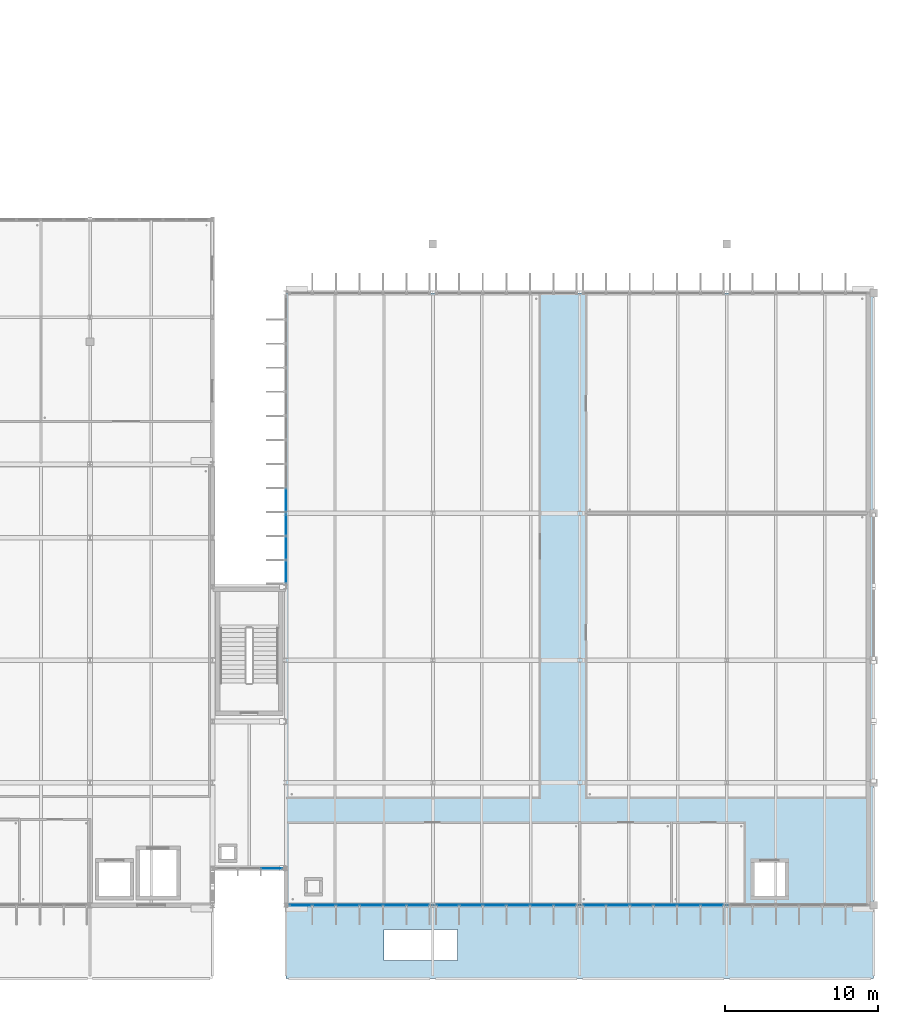
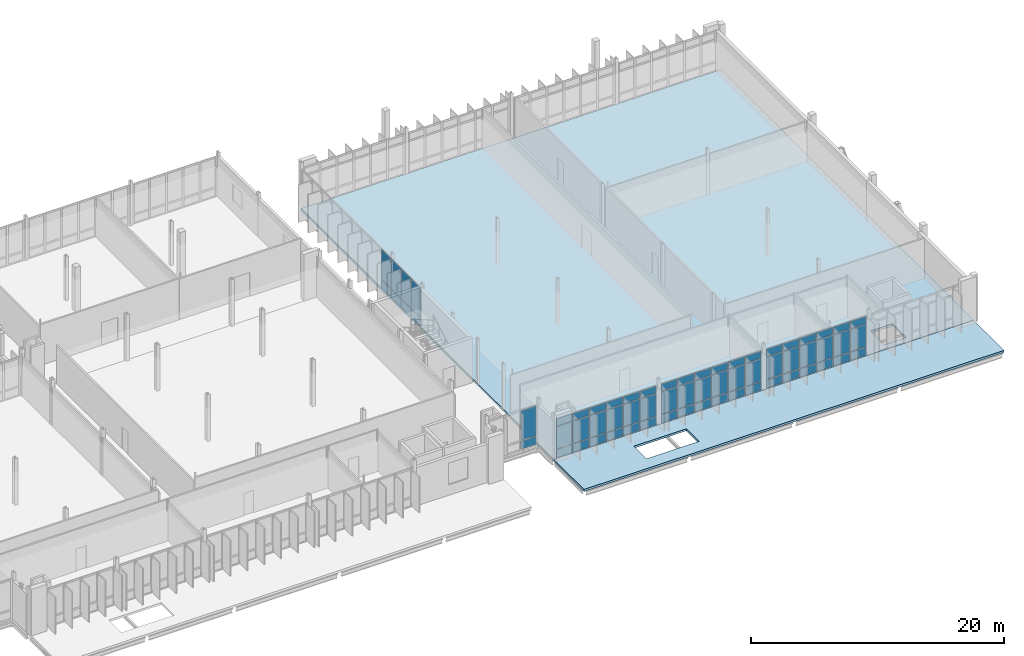
# One storey, part 53 of 107: 64 plates, 2 slabs, 5 elements without a shape of their own.
"""IFC4 building model written with IfcOpenShell, lengths in metres."""

from ifc_helpers import new_model, si_unit, direction, frame, origin, origin_2d, place, context, subcontext, project, spatial, polyline, rectangle, outline, extrude, material, layer, layer_set, type_object, element, aggregate, save


model = new_model("IFC4")

# Units and contexts
model_context = context("Model", 3, precision=1e-05, world=origin(), true_north=direction((0.0, 1.0)))
body_context = subcontext(model_context, "Body", "Model", "MODEL_VIEW")
ifc_project = project(units=[si_unit("LENGTHUNIT", "METRE"), si_unit("AREAUNIT", "SQUARE_METRE"), si_unit("VOLUMEUNIT", "CUBIC_METRE"), si_unit("PLANEANGLEUNIT", "RADIAN"), si_unit("MASSUNIT", "GRAM", prefix="KILO")], contexts=[model_context])

# Site, building, storey
site_placement = place(None, origin())
site = spatial("IfcSite", under=ifc_project, at=site_placement, CompositionType="ELEMENT")
building_placement = place(site_placement, origin())
building = spatial("IfcBuilding", under=site, at=building_placement, Name="Dunescarp Central Library", CompositionType="ELEMENT")
storey_placement = place(building_placement, frame((0.0, 0.0, 5.10009765625)))
storey = spatial("IfcBuildingStorey", under=building, at=storey_placement, Name="L01", CompositionType="ELEMENT", Elevation=5.10009765625)

# Curtain wall, plates
ifc_material_1 = material(Name="Marine-grade anodised aluminium 6063-T6", Category="aluminium")
curtain_wall_type_1 = type_object("IfcCurtainWallType", Name="ARC-CW-STICK", PredefinedType="NOTDEFINED", material=ifc_material_1)
curtain_wall_1_placement = place(storey_placement, origin())
curtain_wall_1 = element("IfcCurtainWall", 1, at=curtain_wall_1_placement, inside=storey, type_object=curtain_wall_type_1, Name="L01 curtain wall CW-V5-153", PredefinedType="NOTDEFINED")
ifc_material_2 = material(Name="Solar-control laminated double glazing", Category="glass")
ifc_layer_1 = layer(ifc_material_2, 0.028076171875)
ifc_layer_set_1 = layer_set([ifc_layer_1], Name="Solar-control laminated double glazing")
plate_type_1 = type_object("IfcPlateType", Name="ARC-PLT-GLZ28", PredefinedType="CURTAIN_PANEL", material=ifc_layer_set_1)
plate_1_placement = place(storey_placement, frame((138.234130859375, 4.800048828125, 0.93994140625), z_axis=(0.0, 0.0, 1.0), x_axis=(-1.0, 0.0, 0.0)))
plate_1 = element("IfcPlate", 2, at=plate_1_placement, type_object=plate_type_1, Name="CW-V5-153 panel 1.2", PredefinedType="CURTAIN_PANEL", context=body_context, shape_type="SweptSolid", body=[
    extrude(rectangle(XDim=1.421630859375, YDim=0.028076171875, at=origin_2d()), origin(), (0.0, 0.0, 1.0), 2.1201171875),
])
plate_2_placement = place(storey_placement, frame((138.234130859375, 4.800048828125, 3.139892578125), z_axis=(0.0, 0.0, 1.0), x_axis=(-1.0, 0.0, 0.0)))
plate_2 = element("IfcPlate", 3, at=plate_2_placement, type_object=plate_type_1, Name="CW-V5-153 panel 1.3", PredefinedType="CURTAIN_PANEL", context=body_context, shape_type="SweptSolid", body=[
    extrude(rectangle(XDim=1.421630859375, YDim=0.028076171875, at=origin_2d()), origin(), (0.0, 0.0, 1.0), 0.68994140625),
])
plate_3_placement = place(storey_placement, frame((136.71240234375, 4.800048828125, 0.93994140625), z_axis=(0.0, 0.0, 1.0), x_axis=(-1.0, 0.0, 0.0)))
plate_3 = element("IfcPlate", 4, at=plate_3_placement, type_object=plate_type_1, Name="CW-V5-153 panel 2.2", PredefinedType="CURTAIN_PANEL", context=body_context, shape_type="SweptSolid", body=[
    extrude(rectangle(XDim=1.461669921875, YDim=0.028076171875, at=origin_2d()), origin(), (0.0, 0.0, 1.0), 2.1201171875),
])
plate_4_placement = place(storey_placement, frame((136.71240234375, 4.800048828125, 3.139892578125), z_axis=(0.0, 0.0, 1.0), x_axis=(-1.0, 0.0, 0.0)))
plate_4 = element("IfcPlate", 5, at=plate_4_placement, type_object=plate_type_1, Name="CW-V5-153 panel 2.3", PredefinedType="CURTAIN_PANEL", context=body_context, shape_type="SweptSolid", body=[
    extrude(rectangle(XDim=1.461669921875, YDim=0.028076171875, at=origin_2d()), origin(), (0.0, 0.0, 1.0), 0.68994140625),
])
plate_5_placement = place(storey_placement, frame((135.1708984375, 4.800048828125, 0.93994140625), z_axis=(0.0, 0.0, 1.0), x_axis=(-1.0, 0.0, 0.0)))
plate_5 = element("IfcPlate", 6, at=plate_5_placement, type_object=plate_type_1, Name="CW-V5-153 panel 3.2", PredefinedType="CURTAIN_PANEL", context=body_context, shape_type="SweptSolid", body=[
    extrude(rectangle(XDim=1.461669921875, YDim=0.028076171875, at=origin_2d()), origin(), (0.0, 0.0, 1.0), 2.1201171875),
])
plate_6_placement = place(storey_placement, frame((135.1708984375, 4.800048828125, 3.139892578125), z_axis=(0.0, 0.0, 1.0), x_axis=(-1.0, 0.0, 0.0)))
plate_6 = element("IfcPlate", 7, at=plate_6_placement, type_object=plate_type_1, Name="CW-V5-153 panel 3.3", PredefinedType="CURTAIN_PANEL", context=body_context, shape_type="SweptSolid", body=[
    extrude(rectangle(XDim=1.461669921875, YDim=0.028076171875, at=origin_2d()), origin(), (0.0, 0.0, 1.0), 0.68994140625),
])
plate_7_placement = place(storey_placement, frame((133.629150390625, 4.800048828125, 0.93994140625), z_axis=(0.0, 0.0, 1.0), x_axis=(-1.0, 0.0, 0.0)))
plate_7 = element("IfcPlate", 8, at=plate_7_placement, type_object=plate_type_1, Name="CW-V5-153 panel 4.2", PredefinedType="CURTAIN_PANEL", context=body_context, shape_type="SweptSolid", body=[
    extrude(rectangle(XDim=1.461669921875, YDim=0.028076171875, at=origin_2d()), origin(), (0.0, 0.0, 1.0), 2.1201171875),
])
plate_8_placement = place(storey_placement, frame((133.629150390625, 4.800048828125, 3.139892578125), z_axis=(0.0, 0.0, 1.0), x_axis=(-1.0, 0.0, 0.0)))
plate_8 = element("IfcPlate", 9, at=plate_8_placement, type_object=plate_type_1, Name="CW-V5-153 panel 4.3", PredefinedType="CURTAIN_PANEL", context=body_context, shape_type="SweptSolid", body=[
    extrude(rectangle(XDim=1.461669921875, YDim=0.028076171875, at=origin_2d()), origin(), (0.0, 0.0, 1.0), 0.68994140625),
])
plate_9_placement = place(storey_placement, frame((132.08740234375, 4.800048828125, 0.93994140625), z_axis=(0.0, 0.0, 1.0), x_axis=(-1.0, 0.0, 0.0)))
plate_9 = element("IfcPlate", 10, at=plate_9_placement, type_object=plate_type_1, Name="CW-V5-153 panel 5.2", PredefinedType="CURTAIN_PANEL", context=body_context, shape_type="SweptSolid", body=[
    extrude(rectangle(XDim=1.461669921875, YDim=0.028076171875, at=origin_2d()), origin(), (0.0, 0.0, 1.0), 2.1201171875),
])
plate_10_placement = place(storey_placement, frame((132.08740234375, 4.800048828125, 3.139892578125), z_axis=(0.0, 0.0, 1.0), x_axis=(-1.0, 0.0, 0.0)))
plate_10 = element("IfcPlate", 11, at=plate_10_placement, type_object=plate_type_1, Name="CW-V5-153 panel 5.3", PredefinedType="CURTAIN_PANEL", context=body_context, shape_type="SweptSolid", body=[
    extrude(rectangle(XDim=1.461669921875, YDim=0.028076171875, at=origin_2d()), origin(), (0.0, 0.0, 1.0), 0.68994140625),
])
plate_11_placement = place(storey_placement, frame((130.56591796875, 4.800048828125, 0.93994140625), z_axis=(0.0, 0.0, 1.0), x_axis=(-1.0, 0.0, 0.0)))
plate_11 = element("IfcPlate", 12, at=plate_11_placement, type_object=plate_type_1, Name="CW-V5-153 panel 6.2", PredefinedType="CURTAIN_PANEL", context=body_context, shape_type="SweptSolid", body=[
    extrude(rectangle(XDim=1.421630859375, YDim=0.028076171875, at=origin_2d()), origin(), (0.0, 0.0, 1.0), 2.1201171875),
])
plate_12_placement = place(storey_placement, frame((130.56591796875, 4.800048828125, 3.139892578125), z_axis=(0.0, 0.0, 1.0), x_axis=(-1.0, 0.0, 0.0)))
plate_12 = element("IfcPlate", 13, at=plate_12_placement, type_object=plate_type_1, Name="CW-V5-153 panel 6.3", PredefinedType="CURTAIN_PANEL", context=body_context, shape_type="SweptSolid", body=[
    extrude(rectangle(XDim=1.421630859375, YDim=0.028076171875, at=origin_2d()), origin(), (0.0, 0.0, 1.0), 0.68994140625),
])

curtain_wall_2_placement = place(storey_placement, origin())
curtain_wall_2 = element("IfcCurtainWall", 14, at=curtain_wall_2_placement, inside=storey, type_object=curtain_wall_type_1, Name="L01 curtain wall CW-V5-154", PredefinedType="NOTDEFINED")
plate_13_placement = place(storey_placement, frame((147.834228515625, 4.800048828125, 0.93994140625), z_axis=(0.0, 0.0, 1.0), x_axis=(-1.0, 0.0, 0.0)))
plate_13 = element("IfcPlate", 15, at=plate_13_placement, type_object=plate_type_1, Name="CW-V5-154 panel 1.2", PredefinedType="CURTAIN_PANEL", context=body_context, shape_type="SweptSolid", body=[
    extrude(rectangle(XDim=1.421630859375, YDim=0.028076171875, at=origin_2d()), origin(), (0.0, 0.0, 1.0), 2.1201171875),
])
plate_14_placement = place(storey_placement, frame((147.834228515625, 4.800048828125, 3.139892578125), z_axis=(0.0, 0.0, 1.0), x_axis=(-1.0, 0.0, 0.0)))
plate_14 = element("IfcPlate", 16, at=plate_14_placement, type_object=plate_type_1, Name="CW-V5-154 panel 1.3", PredefinedType="CURTAIN_PANEL", context=body_context, shape_type="SweptSolid", body=[
    extrude(rectangle(XDim=1.421630859375, YDim=0.028076171875, at=origin_2d()), origin(), (0.0, 0.0, 1.0), 0.68994140625),
])
plate_15_placement = place(storey_placement, frame((146.3125, 4.800048828125, 0.93994140625), z_axis=(0.0, 0.0, 1.0), x_axis=(-1.0, 0.0, 0.0)))
plate_15 = element("IfcPlate", 17, at=plate_15_placement, type_object=plate_type_1, Name="CW-V5-154 panel 2.2", PredefinedType="CURTAIN_PANEL", context=body_context, shape_type="SweptSolid", body=[
    extrude(rectangle(XDim=1.461669921875, YDim=0.028076171875, at=origin_2d()), origin(), (0.0, 0.0, 1.0), 2.1201171875),
])
plate_16_placement = place(storey_placement, frame((146.3125, 4.800048828125, 3.139892578125), z_axis=(0.0, 0.0, 1.0), x_axis=(-1.0, 0.0, 0.0)))
plate_16 = element("IfcPlate", 18, at=plate_16_placement, type_object=plate_type_1, Name="CW-V5-154 panel 2.3", PredefinedType="CURTAIN_PANEL", context=body_context, shape_type="SweptSolid", body=[
    extrude(rectangle(XDim=1.461669921875, YDim=0.028076171875, at=origin_2d()), origin(), (0.0, 0.0, 1.0), 0.68994140625),
])
plate_17_placement = place(storey_placement, frame((144.770751953125, 4.800048828125, 0.93994140625), z_axis=(0.0, 0.0, 1.0), x_axis=(-1.0, 0.0, 0.0)))
plate_17 = element("IfcPlate", 19, at=plate_17_placement, type_object=plate_type_1, Name="CW-V5-154 panel 3.2", PredefinedType="CURTAIN_PANEL", context=body_context, shape_type="SweptSolid", body=[
    extrude(rectangle(XDim=1.461669921875, YDim=0.028076171875, at=origin_2d()), origin(), (0.0, 0.0, 1.0), 2.1201171875),
])
plate_18_placement = place(storey_placement, frame((144.770751953125, 4.800048828125, 3.139892578125), z_axis=(0.0, 0.0, 1.0), x_axis=(-1.0, 0.0, 0.0)))
plate_18 = element("IfcPlate", 20, at=plate_18_placement, type_object=plate_type_1, Name="CW-V5-154 panel 3.3", PredefinedType="CURTAIN_PANEL", context=body_context, shape_type="SweptSolid", body=[
    extrude(rectangle(XDim=1.461669921875, YDim=0.028076171875, at=origin_2d()), origin(), (0.0, 0.0, 1.0), 0.68994140625),
])
plate_19_placement = place(storey_placement, frame((143.229248046875, 4.800048828125, 0.93994140625), z_axis=(0.0, 0.0, 1.0), x_axis=(-1.0, 0.0, 0.0)))
plate_19 = element("IfcPlate", 21, at=plate_19_placement, type_object=plate_type_1, Name="CW-V5-154 panel 4.2", PredefinedType="CURTAIN_PANEL", context=body_context, shape_type="SweptSolid", body=[
    extrude(rectangle(XDim=1.461669921875, YDim=0.028076171875, at=origin_2d()), origin(), (0.0, 0.0, 1.0), 2.1201171875),
])
plate_20_placement = place(storey_placement, frame((143.229248046875, 4.800048828125, 3.139892578125), z_axis=(0.0, 0.0, 1.0), x_axis=(-1.0, 0.0, 0.0)))
plate_20 = element("IfcPlate", 22, at=plate_20_placement, type_object=plate_type_1, Name="CW-V5-154 panel 4.3", PredefinedType="CURTAIN_PANEL", context=body_context, shape_type="SweptSolid", body=[
    extrude(rectangle(XDim=1.461669921875, YDim=0.028076171875, at=origin_2d()), origin(), (0.0, 0.0, 1.0), 0.68994140625),
])
plate_21_placement = place(storey_placement, frame((141.6875, 4.800048828125, 0.93994140625), z_axis=(0.0, 0.0, 1.0), x_axis=(-1.0, 0.0, 0.0)))
plate_21 = element("IfcPlate", 23, at=plate_21_placement, type_object=plate_type_1, Name="CW-V5-154 panel 5.2", PredefinedType="CURTAIN_PANEL", context=body_context, shape_type="SweptSolid", body=[
    extrude(rectangle(XDim=1.461669921875, YDim=0.028076171875, at=origin_2d()), origin(), (0.0, 0.0, 1.0), 2.1201171875),
])
plate_22_placement = place(storey_placement, frame((141.6875, 4.800048828125, 3.139892578125), z_axis=(0.0, 0.0, 1.0), x_axis=(-1.0, 0.0, 0.0)))
plate_22 = element("IfcPlate", 24, at=plate_22_placement, type_object=plate_type_1, Name="CW-V5-154 panel 5.3", PredefinedType="CURTAIN_PANEL", context=body_context, shape_type="SweptSolid", body=[
    extrude(rectangle(XDim=1.461669921875, YDim=0.028076171875, at=origin_2d()), origin(), (0.0, 0.0, 1.0), 0.68994140625),
])
plate_23_placement = place(storey_placement, frame((140.165771484375, 4.800048828125, 0.93994140625), z_axis=(0.0, 0.0, 1.0), x_axis=(-1.0, 0.0, 0.0)))
plate_23 = element("IfcPlate", 25, at=plate_23_placement, type_object=plate_type_1, Name="CW-V5-154 panel 6.2", PredefinedType="CURTAIN_PANEL", context=body_context, shape_type="SweptSolid", body=[
    extrude(rectangle(XDim=1.421630859375, YDim=0.028076171875, at=origin_2d()), origin(), (0.0, 0.0, 1.0), 2.1201171875),
])
plate_24_placement = place(storey_placement, frame((140.165771484375, 4.800048828125, 3.139892578125), z_axis=(0.0, 0.0, 1.0), x_axis=(-1.0, 0.0, 0.0)))
plate_24 = element("IfcPlate", 26, at=plate_24_placement, type_object=plate_type_1, Name="CW-V5-154 panel 6.3", PredefinedType="CURTAIN_PANEL", context=body_context, shape_type="SweptSolid", body=[
    extrude(rectangle(XDim=1.421630859375, YDim=0.028076171875, at=origin_2d()), origin(), (0.0, 0.0, 1.0), 0.68994140625),
])

curtain_wall_3_placement = place(storey_placement, origin())
curtain_wall_3 = element("IfcCurtainWall", 27, at=curtain_wall_3_placement, inside=storey, type_object=curtain_wall_type_1, Name="L01 curtain wall CW-V5-155", PredefinedType="NOTDEFINED")
plate_25_placement = place(storey_placement, frame((157.43408203125, 4.800048828125, 0.93994140625), z_axis=(0.0, 0.0, 1.0), x_axis=(-1.0, 0.0, 0.0)))
plate_25 = element("IfcPlate", 28, at=plate_25_placement, type_object=plate_type_1, Name="CW-V5-155 panel 1.2", PredefinedType="CURTAIN_PANEL", context=body_context, shape_type="SweptSolid", body=[
    extrude(rectangle(XDim=1.421630859375, YDim=0.028076171875, at=origin_2d()), origin(), (0.0, 0.0, 1.0), 2.1201171875),
])
plate_26_placement = place(storey_placement, frame((157.43408203125, 4.800048828125, 3.139892578125), z_axis=(0.0, 0.0, 1.0), x_axis=(-1.0, 0.0, 0.0)))
plate_26 = element("IfcPlate", 29, at=plate_26_placement, type_object=plate_type_1, Name="CW-V5-155 panel 1.3", PredefinedType="CURTAIN_PANEL", context=body_context, shape_type="SweptSolid", body=[
    extrude(rectangle(XDim=1.421630859375, YDim=0.028076171875, at=origin_2d()), origin(), (0.0, 0.0, 1.0), 0.68994140625),
])
plate_27_placement = place(storey_placement, frame((155.91259765625, 4.800048828125, 0.93994140625), z_axis=(0.0, 0.0, 1.0), x_axis=(-1.0, 0.0, 0.0)))
plate_27 = element("IfcPlate", 30, at=plate_27_placement, type_object=plate_type_1, Name="CW-V5-155 panel 2.2", PredefinedType="CURTAIN_PANEL", context=body_context, shape_type="SweptSolid", body=[
    extrude(rectangle(XDim=1.461669921875, YDim=0.028076171875, at=origin_2d()), origin(), (0.0, 0.0, 1.0), 2.1201171875),
])
plate_28_placement = place(storey_placement, frame((155.91259765625, 4.800048828125, 3.139892578125), z_axis=(0.0, 0.0, 1.0), x_axis=(-1.0, 0.0, 0.0)))
plate_28 = element("IfcPlate", 31, at=plate_28_placement, type_object=plate_type_1, Name="CW-V5-155 panel 2.3", PredefinedType="CURTAIN_PANEL", context=body_context, shape_type="SweptSolid", body=[
    extrude(rectangle(XDim=1.461669921875, YDim=0.028076171875, at=origin_2d()), origin(), (0.0, 0.0, 1.0), 0.68994140625),
])
plate_29_placement = place(storey_placement, frame((154.370849609375, 4.800048828125, 0.93994140625), z_axis=(0.0, 0.0, 1.0), x_axis=(-1.0, 0.0, 0.0)))
plate_29 = element("IfcPlate", 32, at=plate_29_placement, type_object=plate_type_1, Name="CW-V5-155 panel 3.2", PredefinedType="CURTAIN_PANEL", context=body_context, shape_type="SweptSolid", body=[
    extrude(rectangle(XDim=1.461669921875, YDim=0.028076171875, at=origin_2d()), origin(), (0.0, 0.0, 1.0), 2.1201171875),
])
plate_30_placement = place(storey_placement, frame((154.370849609375, 4.800048828125, 3.139892578125), z_axis=(0.0, 0.0, 1.0), x_axis=(-1.0, 0.0, 0.0)))
plate_30 = element("IfcPlate", 33, at=plate_30_placement, type_object=plate_type_1, Name="CW-V5-155 panel 3.3", PredefinedType="CURTAIN_PANEL", context=body_context, shape_type="SweptSolid", body=[
    extrude(rectangle(XDim=1.461669921875, YDim=0.028076171875, at=origin_2d()), origin(), (0.0, 0.0, 1.0), 0.68994140625),
])
plate_31_placement = place(storey_placement, frame((152.8291015625, 4.800048828125, 0.93994140625), z_axis=(0.0, 0.0, 1.0), x_axis=(-1.0, 0.0, 0.0)))
plate_31 = element("IfcPlate", 34, at=plate_31_placement, type_object=plate_type_1, Name="CW-V5-155 panel 4.2", PredefinedType="CURTAIN_PANEL", context=body_context, shape_type="SweptSolid", body=[
    extrude(rectangle(XDim=1.461669921875, YDim=0.028076171875, at=origin_2d()), origin(), (0.0, 0.0, 1.0), 2.1201171875),
])
plate_32_placement = place(storey_placement, frame((152.8291015625, 4.800048828125, 3.139892578125), z_axis=(0.0, 0.0, 1.0), x_axis=(-1.0, 0.0, 0.0)))
plate_32 = element("IfcPlate", 35, at=plate_32_placement, type_object=plate_type_1, Name="CW-V5-155 panel 4.3", PredefinedType="CURTAIN_PANEL", context=body_context, shape_type="SweptSolid", body=[
    extrude(rectangle(XDim=1.461669921875, YDim=0.028076171875, at=origin_2d()), origin(), (0.0, 0.0, 1.0), 0.68994140625),
])
plate_33_placement = place(storey_placement, frame((151.28759765625, 4.800048828125, 0.93994140625), z_axis=(0.0, 0.0, 1.0), x_axis=(-1.0, 0.0, 0.0)))
plate_33 = element("IfcPlate", 36, at=plate_33_placement, type_object=plate_type_1, Name="CW-V5-155 panel 5.2", PredefinedType="CURTAIN_PANEL", context=body_context, shape_type="SweptSolid", body=[
    extrude(rectangle(XDim=1.461669921875, YDim=0.028076171875, at=origin_2d()), origin(), (0.0, 0.0, 1.0), 2.1201171875),
])
plate_34_placement = place(storey_placement, frame((151.28759765625, 4.800048828125, 3.139892578125), z_axis=(0.0, 0.0, 1.0), x_axis=(-1.0, 0.0, 0.0)))
plate_34 = element("IfcPlate", 37, at=plate_34_placement, type_object=plate_type_1, Name="CW-V5-155 panel 5.3", PredefinedType="CURTAIN_PANEL", context=body_context, shape_type="SweptSolid", body=[
    extrude(rectangle(XDim=1.461669921875, YDim=0.028076171875, at=origin_2d()), origin(), (0.0, 0.0, 1.0), 0.68994140625),
])
plate_35_placement = place(storey_placement, frame((149.765869140625, 4.800048828125, 0.93994140625), z_axis=(0.0, 0.0, 1.0), x_axis=(-1.0, 0.0, 0.0)))
plate_35 = element("IfcPlate", 38, at=plate_35_placement, type_object=plate_type_1, Name="CW-V5-155 panel 6.2", PredefinedType="CURTAIN_PANEL", context=body_context, shape_type="SweptSolid", body=[
    extrude(rectangle(XDim=1.421630859375, YDim=0.028076171875, at=origin_2d()), origin(), (0.0, 0.0, 1.0), 2.1201171875),
])
plate_36_placement = place(storey_placement, frame((149.765869140625, 4.800048828125, 3.139892578125), z_axis=(0.0, 0.0, 1.0), x_axis=(-1.0, 0.0, 0.0)))
plate_36 = element("IfcPlate", 39, at=plate_36_placement, type_object=plate_type_1, Name="CW-V5-155 panel 6.3", PredefinedType="CURTAIN_PANEL", context=body_context, shape_type="SweptSolid", body=[
    extrude(rectangle(XDim=1.421630859375, YDim=0.028076171875, at=origin_2d()), origin(), (0.0, 0.0, 1.0), 0.68994140625),
])

curtain_wall_4_placement = place(storey_placement, origin())
curtain_wall_4 = element("IfcCurtainWall", 40, at=curtain_wall_4_placement, inside=storey, type_object=curtain_wall_type_1, Name="L01 curtain wall CW-V5-161", PredefinedType="NOTDEFINED")
plate_37_placement = place(storey_placement, frame((129.60009765625, 26.580322265625, 0.93994140625), z_axis=(0.0, 0.0, 1.0), x_axis=(0.0, 1.0, 0.0)))
plate_37 = element("IfcPlate", 41, at=plate_37_placement, type_object=plate_type_1, Name="CW-V5-161 panel 1.2", PredefinedType="CURTAIN_PANEL", context=body_context, shape_type="SweptSolid", body=[
    extrude(rectangle(XDim=1.450927734375, YDim=0.028076171875, at=origin_2d()), origin(), (0.0, 0.0, 1.0), 2.85498046875),
])
plate_38_placement = place(storey_placement, frame((129.60009765625, 28.13134765625, 0.93994140625), z_axis=(0.0, 0.0, 1.0), x_axis=(0.0, 1.0, 0.0)))
plate_38 = element("IfcPlate", 42, at=plate_38_placement, type_object=plate_type_1, Name="CW-V5-161 panel 2.2", PredefinedType="CURTAIN_PANEL", context=body_context, shape_type="SweptSolid", body=[
    extrude(rectangle(XDim=1.49072265625, YDim=0.028076171875, at=origin_2d()), origin(), (0.0, 0.0, 1.0), 2.85498046875),
])
plate_39_placement = place(storey_placement, frame((129.60009765625, 29.7021484375, 0.93994140625), z_axis=(0.0, 0.0, 1.0), x_axis=(0.0, 1.0, 0.0)))
plate_39 = element("IfcPlate", 43, at=plate_39_placement, type_object=plate_type_1, Name="CW-V5-161 panel 3.2", PredefinedType="CURTAIN_PANEL", context=body_context, shape_type="SweptSolid", body=[
    extrude(rectangle(XDim=1.49072265625, YDim=0.028076171875, at=origin_2d()), origin(), (0.0, 0.0, 1.0), 2.85498046875),
])
plate_40_placement = place(storey_placement, frame((129.60009765625, 31.27294921875, 0.93994140625), z_axis=(0.0, 0.0, 1.0), x_axis=(0.0, 1.0, 0.0)))
plate_40 = element("IfcPlate", 44, at=plate_40_placement, type_object=plate_type_1, Name="CW-V5-161 panel 4.2", PredefinedType="CURTAIN_PANEL", context=body_context, shape_type="SweptSolid", body=[
    extrude(rectangle(XDim=1.49072265625, YDim=0.028076171875, at=origin_2d()), origin(), (0.0, 0.0, 1.0), 2.85498046875),
])

# Curtain wall, plate
curtain_wall_type_2 = type_object("IfcCurtainWallType", Name="ARC-CW-LINK", PredefinedType="USERDEFINED", material=ifc_material_1)
curtain_wall_5_placement = place(storey_placement, origin())
curtain_wall_5 = element("IfcCurtainWall", 45, at=curtain_wall_5_placement, inside=storey, type_object=curtain_wall_type_2, Name="L01 curtain wall CW-GL3-S-L01", ObjectType="GLAZED_LINK_WALL", PredefinedType="USERDEFINED")
plate_41_placement = place(storey_placement, frame((128.663330078125, 7.199951171875, 0.93994140625), z_axis=(0.0, 0.0, 1.0), x_axis=(-1.0, 0.0, 0.0)))
plate_41 = element("IfcPlate", 46, at=plate_41_placement, type_object=plate_type_1, Name="CW-GL3-S-L01 panel 1.2", PredefinedType="CURTAIN_PANEL", context=body_context, shape_type="SweptSolid", body=[
    extrude(rectangle(XDim=1.36328125, YDim=0.028076171875, at=origin_2d()), origin(), (0.0, 0.0, 1.0), 2.85498046875),
])

# Plate
ifc_layer_2 = layer(ifc_material_1, 0.050048828125)
ifc_layer_set_2 = layer_set([ifc_layer_2], Name="Marine-grade anodised aluminium 6063-T6")
plate_type_2 = type_object("IfcPlateType", Name="ARC-PLT-SPN50", PredefinedType="SHEET", material=ifc_layer_set_2)
plate_42_placement = place(storey_placement, frame((138.234130859375, 4.800048828125, 0.080078125), z_axis=(0.0, 0.0, 1.0), x_axis=(-1.0, 0.0, 0.0)))
plate_42 = element("IfcPlate", 47, at=plate_42_placement, type_object=plate_type_2, Name="CW-V5-153 panel 1.1", PredefinedType="SHEET", context=body_context, shape_type="SweptSolid", body=[
    extrude(rectangle(XDim=1.421630859375, YDim=0.050048828125, at=origin_2d()), origin(), (0.0, 0.0, 1.0), 0.780029296875),
])

plate_43_placement = place(storey_placement, frame((136.71240234375, 4.800048828125, 0.080078125), z_axis=(0.0, 0.0, 1.0), x_axis=(-1.0, 0.0, 0.0)))
plate_43 = element("IfcPlate", 48, at=plate_43_placement, type_object=plate_type_2, Name="CW-V5-153 panel 2.1", PredefinedType="SHEET", context=body_context, shape_type="SweptSolid", body=[
    extrude(rectangle(XDim=1.461669921875, YDim=0.050048828125, at=origin_2d()), origin(), (0.0, 0.0, 1.0), 0.780029296875),
])

plate_44_placement = place(storey_placement, frame((135.1708984375, 4.800048828125, 0.080078125), z_axis=(0.0, 0.0, 1.0), x_axis=(-1.0, 0.0, 0.0)))
plate_44 = element("IfcPlate", 49, at=plate_44_placement, type_object=plate_type_2, Name="CW-V5-153 panel 3.1", PredefinedType="SHEET", context=body_context, shape_type="SweptSolid", body=[
    extrude(rectangle(XDim=1.461669921875, YDim=0.050048828125, at=origin_2d()), origin(), (0.0, 0.0, 1.0), 0.780029296875),
])

plate_45_placement = place(storey_placement, frame((133.629150390625, 4.800048828125, 0.080078125), z_axis=(0.0, 0.0, 1.0), x_axis=(-1.0, 0.0, 0.0)))
plate_45 = element("IfcPlate", 50, at=plate_45_placement, type_object=plate_type_2, Name="CW-V5-153 panel 4.1", PredefinedType="SHEET", context=body_context, shape_type="SweptSolid", body=[
    extrude(rectangle(XDim=1.461669921875, YDim=0.050048828125, at=origin_2d()), origin(), (0.0, 0.0, 1.0), 0.780029296875),
])

plate_46_placement = place(storey_placement, frame((132.08740234375, 4.800048828125, 0.080078125), z_axis=(0.0, 0.0, 1.0), x_axis=(-1.0, 0.0, 0.0)))
plate_46 = element("IfcPlate", 51, at=plate_46_placement, type_object=plate_type_2, Name="CW-V5-153 panel 5.1", PredefinedType="SHEET", context=body_context, shape_type="SweptSolid", body=[
    extrude(rectangle(XDim=1.461669921875, YDim=0.050048828125, at=origin_2d()), origin(), (0.0, 0.0, 1.0), 0.780029296875),
])

plate_47_placement = place(storey_placement, frame((130.56591796875, 4.800048828125, 0.080078125), z_axis=(0.0, 0.0, 1.0), x_axis=(-1.0, 0.0, 0.0)))
plate_47 = element("IfcPlate", 52, at=plate_47_placement, type_object=plate_type_2, Name="CW-V5-153 panel 6.1", PredefinedType="SHEET", context=body_context, shape_type="SweptSolid", body=[
    extrude(rectangle(XDim=1.421630859375, YDim=0.050048828125, at=origin_2d()), origin(), (0.0, 0.0, 1.0), 0.780029296875),
])

aggregate(curtain_wall_1, [plate_42, plate_1, plate_2, plate_43, plate_3, plate_4, plate_44, plate_5, plate_6, plate_45, plate_7, plate_8, plate_46, plate_9, plate_10, plate_47, plate_11, plate_12])

plate_48_placement = place(storey_placement, frame((147.834228515625, 4.800048828125, 0.080078125), z_axis=(0.0, 0.0, 1.0), x_axis=(-1.0, 0.0, 0.0)))
plate_48 = element("IfcPlate", 53, at=plate_48_placement, type_object=plate_type_2, Name="CW-V5-154 panel 1.1", PredefinedType="SHEET", context=body_context, shape_type="SweptSolid", body=[
    extrude(rectangle(XDim=1.421630859375, YDim=0.050048828125, at=origin_2d()), origin(), (0.0, 0.0, 1.0), 0.780029296875),
])

plate_49_placement = place(storey_placement, frame((146.3125, 4.800048828125, 0.080078125), z_axis=(0.0, 0.0, 1.0), x_axis=(-1.0, 0.0, 0.0)))
plate_49 = element("IfcPlate", 54, at=plate_49_placement, type_object=plate_type_2, Name="CW-V5-154 panel 2.1", PredefinedType="SHEET", context=body_context, shape_type="SweptSolid", body=[
    extrude(rectangle(XDim=1.461669921875, YDim=0.050048828125, at=origin_2d()), origin(), (0.0, 0.0, 1.0), 0.780029296875),
])

plate_50_placement = place(storey_placement, frame((144.770751953125, 4.800048828125, 0.080078125), z_axis=(0.0, 0.0, 1.0), x_axis=(-1.0, 0.0, 0.0)))
plate_50 = element("IfcPlate", 55, at=plate_50_placement, type_object=plate_type_2, Name="CW-V5-154 panel 3.1", PredefinedType="SHEET", context=body_context, shape_type="SweptSolid", body=[
    extrude(rectangle(XDim=1.461669921875, YDim=0.050048828125, at=origin_2d()), origin(), (0.0, 0.0, 1.0), 0.780029296875),
])

plate_51_placement = place(storey_placement, frame((143.229248046875, 4.800048828125, 0.080078125), z_axis=(0.0, 0.0, 1.0), x_axis=(-1.0, 0.0, 0.0)))
plate_51 = element("IfcPlate", 56, at=plate_51_placement, type_object=plate_type_2, Name="CW-V5-154 panel 4.1", PredefinedType="SHEET", context=body_context, shape_type="SweptSolid", body=[
    extrude(rectangle(XDim=1.461669921875, YDim=0.050048828125, at=origin_2d()), origin(), (0.0, 0.0, 1.0), 0.780029296875),
])

plate_52_placement = place(storey_placement, frame((141.6875, 4.800048828125, 0.080078125), z_axis=(0.0, 0.0, 1.0), x_axis=(-1.0, 0.0, 0.0)))
plate_52 = element("IfcPlate", 57, at=plate_52_placement, type_object=plate_type_2, Name="CW-V5-154 panel 5.1", PredefinedType="SHEET", context=body_context, shape_type="SweptSolid", body=[
    extrude(rectangle(XDim=1.461669921875, YDim=0.050048828125, at=origin_2d()), origin(), (0.0, 0.0, 1.0), 0.780029296875),
])

plate_53_placement = place(storey_placement, frame((140.165771484375, 4.800048828125, 0.080078125), z_axis=(0.0, 0.0, 1.0), x_axis=(-1.0, 0.0, 0.0)))
plate_53 = element("IfcPlate", 58, at=plate_53_placement, type_object=plate_type_2, Name="CW-V5-154 panel 6.1", PredefinedType="SHEET", context=body_context, shape_type="SweptSolid", body=[
    extrude(rectangle(XDim=1.421630859375, YDim=0.050048828125, at=origin_2d()), origin(), (0.0, 0.0, 1.0), 0.780029296875),
])

aggregate(curtain_wall_2, [plate_48, plate_13, plate_14, plate_49, plate_15, plate_16, plate_50, plate_17, plate_18, plate_51, plate_19, plate_20, plate_52, plate_21, plate_22, plate_53, plate_23, plate_24])

plate_54_placement = place(storey_placement, frame((157.43408203125, 4.800048828125, 0.080078125), z_axis=(0.0, 0.0, 1.0), x_axis=(-1.0, 0.0, 0.0)))
plate_54 = element("IfcPlate", 59, at=plate_54_placement, type_object=plate_type_2, Name="CW-V5-155 panel 1.1", PredefinedType="SHEET", context=body_context, shape_type="SweptSolid", body=[
    extrude(rectangle(XDim=1.421630859375, YDim=0.050048828125, at=origin_2d()), origin(), (0.0, 0.0, 1.0), 0.780029296875),
])

plate_55_placement = place(storey_placement, frame((155.91259765625, 4.800048828125, 0.080078125), z_axis=(0.0, 0.0, 1.0), x_axis=(-1.0, 0.0, 0.0)))
plate_55 = element("IfcPlate", 60, at=plate_55_placement, type_object=plate_type_2, Name="CW-V5-155 panel 2.1", PredefinedType="SHEET", context=body_context, shape_type="SweptSolid", body=[
    extrude(rectangle(XDim=1.461669921875, YDim=0.050048828125, at=origin_2d()), origin(), (0.0, 0.0, 1.0), 0.780029296875),
])

plate_56_placement = place(storey_placement, frame((154.370849609375, 4.800048828125, 0.080078125), z_axis=(0.0, 0.0, 1.0), x_axis=(-1.0, 0.0, 0.0)))
plate_56 = element("IfcPlate", 61, at=plate_56_placement, type_object=plate_type_2, Name="CW-V5-155 panel 3.1", PredefinedType="SHEET", context=body_context, shape_type="SweptSolid", body=[
    extrude(rectangle(XDim=1.461669921875, YDim=0.050048828125, at=origin_2d()), origin(), (0.0, 0.0, 1.0), 0.780029296875),
])

plate_57_placement = place(storey_placement, frame((152.8291015625, 4.800048828125, 0.080078125), z_axis=(0.0, 0.0, 1.0), x_axis=(-1.0, 0.0, 0.0)))
plate_57 = element("IfcPlate", 62, at=plate_57_placement, type_object=plate_type_2, Name="CW-V5-155 panel 4.1", PredefinedType="SHEET", context=body_context, shape_type="SweptSolid", body=[
    extrude(rectangle(XDim=1.461669921875, YDim=0.050048828125, at=origin_2d()), origin(), (0.0, 0.0, 1.0), 0.780029296875),
])

plate_58_placement = place(storey_placement, frame((151.28759765625, 4.800048828125, 0.080078125), z_axis=(0.0, 0.0, 1.0), x_axis=(-1.0, 0.0, 0.0)))
plate_58 = element("IfcPlate", 63, at=plate_58_placement, type_object=plate_type_2, Name="CW-V5-155 panel 5.1", PredefinedType="SHEET", context=body_context, shape_type="SweptSolid", body=[
    extrude(rectangle(XDim=1.461669921875, YDim=0.050048828125, at=origin_2d()), origin(), (0.0, 0.0, 1.0), 0.780029296875),
])

plate_59_placement = place(storey_placement, frame((149.765869140625, 4.800048828125, 0.080078125), z_axis=(0.0, 0.0, 1.0), x_axis=(-1.0, 0.0, 0.0)))
plate_59 = element("IfcPlate", 64, at=plate_59_placement, type_object=plate_type_2, Name="CW-V5-155 panel 6.1", PredefinedType="SHEET", context=body_context, shape_type="SweptSolid", body=[
    extrude(rectangle(XDim=1.421630859375, YDim=0.050048828125, at=origin_2d()), origin(), (0.0, 0.0, 1.0), 0.780029296875),
])

aggregate(curtain_wall_3, [plate_54, plate_25, plate_26, plate_55, plate_27, plate_28, plate_56, plate_29, plate_30, plate_57, plate_31, plate_32, plate_58, plate_33, plate_34, plate_59, plate_35, plate_36])

plate_60_placement = place(storey_placement, frame((129.60009765625, 26.580322265625, 0.080078125), z_axis=(0.0, 0.0, 1.0), x_axis=(0.0, 1.0, 0.0)))
plate_60 = element("IfcPlate", 65, at=plate_60_placement, type_object=plate_type_2, Name="CW-V5-161 panel 1.1", PredefinedType="SHEET", context=body_context, shape_type="SweptSolid", body=[
    extrude(rectangle(XDim=1.450927734375, YDim=0.050048828125, at=origin_2d()), origin(), (0.0, 0.0, 1.0), 0.780029296875),
])

plate_61_placement = place(storey_placement, frame((129.60009765625, 28.13134765625, 0.080078125), z_axis=(0.0, 0.0, 1.0), x_axis=(0.0, 1.0, 0.0)))
plate_61 = element("IfcPlate", 66, at=plate_61_placement, type_object=plate_type_2, Name="CW-V5-161 panel 2.1", PredefinedType="SHEET", context=body_context, shape_type="SweptSolid", body=[
    extrude(rectangle(XDim=1.49072265625, YDim=0.050048828125, at=origin_2d()), origin(), (0.0, 0.0, 1.0), 0.780029296875),
])

plate_62_placement = place(storey_placement, frame((129.60009765625, 29.7021484375, 0.080078125), z_axis=(0.0, 0.0, 1.0), x_axis=(0.0, 1.0, 0.0)))
plate_62 = element("IfcPlate", 67, at=plate_62_placement, type_object=plate_type_2, Name="CW-V5-161 panel 3.1", PredefinedType="SHEET", context=body_context, shape_type="SweptSolid", body=[
    extrude(rectangle(XDim=1.49072265625, YDim=0.050048828125, at=origin_2d()), origin(), (0.0, 0.0, 1.0), 0.780029296875),
])

plate_63_placement = place(storey_placement, frame((129.60009765625, 31.27294921875, 0.080078125), z_axis=(0.0, 0.0, 1.0), x_axis=(0.0, 1.0, 0.0)))
plate_63 = element("IfcPlate", 68, at=plate_63_placement, type_object=plate_type_2, Name="CW-V5-161 panel 4.1", PredefinedType="SHEET", context=body_context, shape_type="SweptSolid", body=[
    extrude(rectangle(XDim=1.49072265625, YDim=0.050048828125, at=origin_2d()), origin(), (0.0, 0.0, 1.0), 0.780029296875),
])

aggregate(curtain_wall_4, [plate_60, plate_37, plate_61, plate_38, plate_62, plate_39, plate_63, plate_40])

plate_64_placement = place(storey_placement, frame((128.663330078125, 7.199951171875, 0.080078125), z_axis=(0.0, 0.0, 1.0), x_axis=(-1.0, 0.0, 0.0)))
plate_64 = element("IfcPlate", 69, at=plate_64_placement, type_object=plate_type_2, Name="CW-GL3-S-L01 panel 1.1", PredefinedType="SHEET", context=body_context, shape_type="SweptSolid", body=[
    extrude(rectangle(XDim=1.36328125, YDim=0.050048828125, at=origin_2d()), origin(), (0.0, 0.0, 1.0), 0.780029296875),
])

aggregate(curtain_wall_5, [plate_64, plate_41])

# Slabs
ifc_material_3 = material(Name="Concrete C35/45", Category="concrete")
ifc_layer_3 = layer(ifc_material_3, 0.199951171875)
ifc_layer_set_3 = layer_set([ifc_layer_3], Name="Concrete C35/45")
slab_type_1 = type_object("IfcSlabType", Name="STR-SLB-ROOF200", PredefinedType="ROOF", material=ifc_layer_set_3)
slab_1_placement = place(storey_placement, frame((0.0, 0.0, -0.2001953125)))
element("IfcSlab", 70, at=slab_1_placement, inside=storey, type_object=slab_type_1, Name="South street colonnade canopy roof COL-S4", PredefinedType="ROOF", context=body_context, shape_type="SweptSolid", body=[
    extrude(outline(polyline([(129.60009765625, 0.0), (168.0, 0.0), (168.0, 4.800048828125), (129.60009765625, 4.800048828125), (129.60009765625, 0.0)]), holes=[polyline([(136.0, 1.199951171875), (140.800048828125, 1.199951171875), (140.800048828125, 3.199951171875), (136.0, 3.199951171875), (136.0, 1.199951171875)])]), origin(), (0.0, 0.0, 1.0), 0.2001953125),
])
ifc_layer_4 = layer(ifc_material_3, 0.219970703125)
ifc_layer_set_4 = layer_set([ifc_layer_4], Name="Concrete C35/45")
slab_type_2 = type_object("IfcSlabType", Name="STR-SLB-STACK220", PredefinedType="FLOOR", material=ifc_layer_set_4)
slab_2_placement = place(storey_placement, frame((0.0, 0.0, -0.22021484375)))
element("IfcSlab", 71, at=slab_2_placement, inside=storey, type_object=slab_type_2, Name="L01 V5 slab", PredefinedType="FLOOR", context=body_context, shape_type="SweptSolid", body=[
    extrude(outline(polyline([(129.60009765625, 4.800048828125), (168.0, 4.800048828125), (168.0, 44.800048828125), (129.60009765625, 44.800048828125), (129.60009765625, 4.800048828125)]), holes=[polyline([(160.199951171875, 5.39990234375), (162.199951171875, 5.39990234375), (162.199951171875, 7.60009765625), (160.199951171875, 7.60009765625), (160.199951171875, 5.39990234375)]), polyline([(131.0, 5.60009765625), (131.800048828125, 5.60009765625), (131.800048828125, 6.39990234375), (131.0, 6.39990234375), (131.0, 5.60009765625)])]), origin(), (0.0, 0.0, 1.0), 0.22021484375),
])

save(model, "model.ifc")
